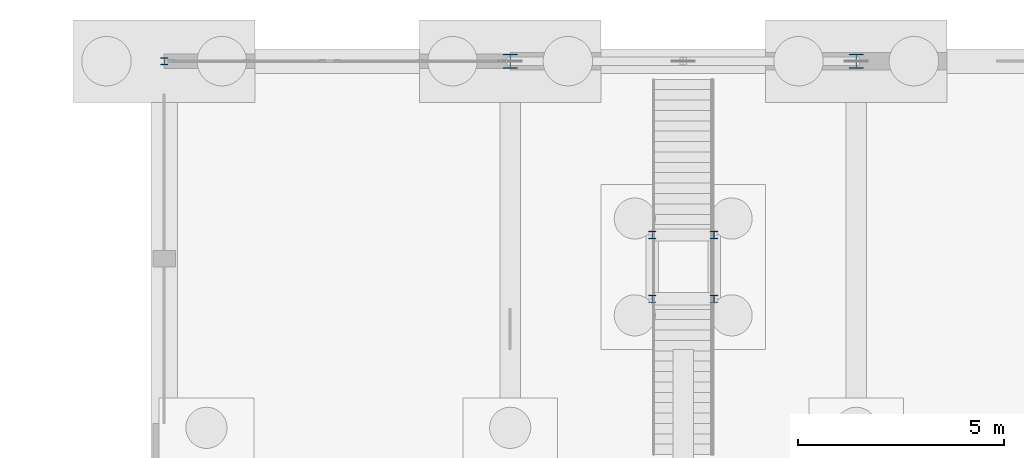
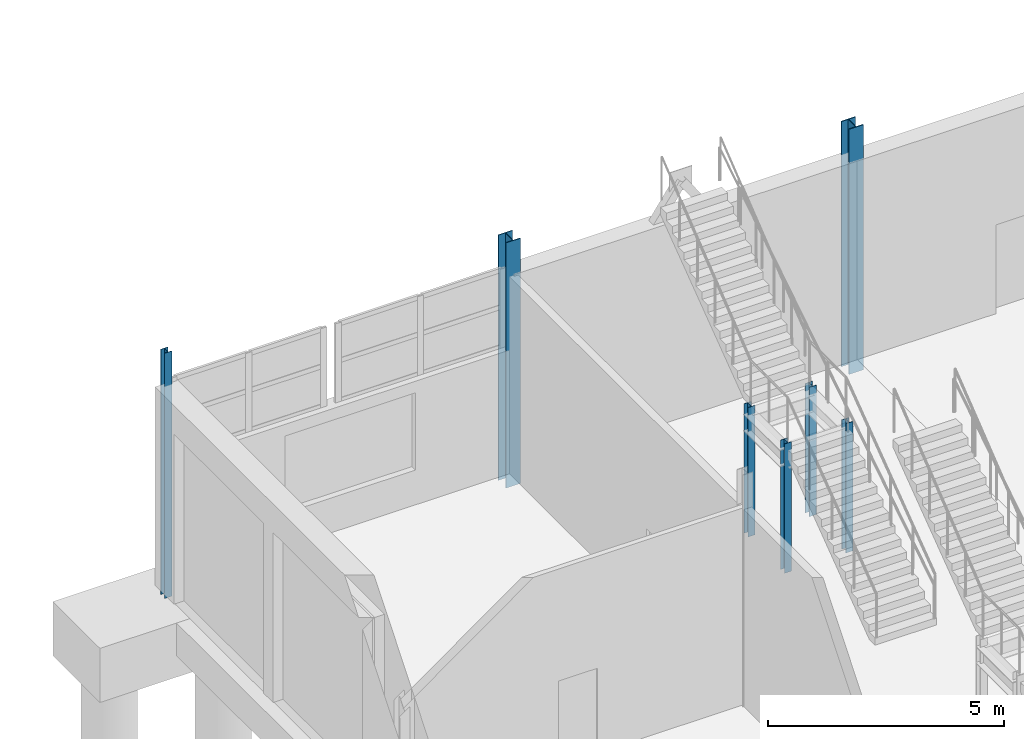
# One storey, part 48 of 139: 7 columns.
"""IFC4 building model written with IfcOpenShell, lengths in metres."""

import ifcopenshell
import ifcopenshell.guid

model = None  # the IFC model being written
_history = None  # IfcOwnerHistory: only IFC2X3 demands one
_inside = {}  # id of a spatial element -> (the spatial element, [elements in it])
_under = {}  # id of a project, library or spatial element -> (it, [spatial elements below it])
_declared = {}  # id of a project -> (the project, [libraries it declares])
_typed = {}  # id of a type object -> (the type object, [elements of that type])
_made_of = {}  # id of a material, layer set ... -> (it, [elements and type objects made of it])


def new_model(schema):
    """Start an empty IFC model of exactly this schema.

    Asked for "IFC4X3", IfcOpenShell would pick the latest addendum, in which some entities
    have other attributes; the version numbers below select the first issue.
    IFC2X3 requires an IfcOwnerHistory on every rooted entity: one is made here for all.
    """
    global model, _history
    if schema == "IFC4X3":
        model = ifcopenshell.file(schema_version=(4, 3, 0, 0))
    else:
        model = ifcopenshell.file(schema=schema)
    _inside.clear()
    _under.clear()
    _declared.clear()
    _typed.clear()
    _made_of.clear()
    _history = None
    if model.schema == "IFC2X3":
        org = make("IfcOrganization", Name="unknown")
        user = make(
            "IfcPersonAndOrganization",
            ThePerson=make("IfcPerson", FamilyName="unknown"),
            TheOrganization=org,
        )
        app = make(
            "IfcApplication",
            ApplicationDeveloper=org,
            Version="unknown",
            ApplicationFullName="unknown",
            ApplicationIdentifier="unknown",
        )
        _history = make(
            "IfcOwnerHistory",
            OwningUser=user,
            OwningApplication=app,
            ChangeAction="ADDED",
            CreationDate=0,
        )
    return model


def make(cls, **values):
    """One entity of the class cls with the attributes given. An attribute that is None is left unset."""
    return model.create_entity(
        cls, **{name: value for name, value in values.items() if value is not None}
    )


def rooted(cls, **values):
    """An entity with a GlobalId (a new one), such as an element, a storey or a relation."""
    return make(cls, GlobalId=ifcopenshell.guid.new(), OwnerHistory=_history, **values)


def si_unit(unit_type, name, prefix=None):
    """IfcSIUnit, for example si_unit("LENGTHUNIT", "METRE", prefix="MILLI")."""
    return make("IfcSIUnit", UnitType=unit_type, Prefix=prefix, Name=name)


def assignment(units):
    """IfcUnitAssignment: the units of a project."""
    return None if units is None else make("IfcUnitAssignment", Units=units)


def point(xyz):
    """IfcCartesianPoint."""
    return None if xyz is None else make("IfcCartesianPoint", Coordinates=xyz)


def direction(xyz):
    """IfcDirection."""
    return None if xyz is None else make("IfcDirection", DirectionRatios=xyz)


def frame(location, z_axis=None, x_axis=None):
    """IfcAxis2Placement3D, a coordinate frame: its origin and axes. An axis left out is left unset."""
    return make(
        "IfcAxis2Placement3D",
        Location=point(location),
        Axis=direction(z_axis),
        RefDirection=direction(x_axis),
    )


def frame_2d(location, x_axis=None):
    """IfcAxis2Placement2D, a coordinate frame in the plane: its origin and x axis."""
    return make(
        "IfcAxis2Placement2D", Location=point(location), RefDirection=direction(x_axis)
    )


def origin():
    """The frame at (0, 0, 0) with its axes left unset."""
    return frame((0.0, 0.0, 0.0))


def origin_2d():
    """The frame at (0, 0) in the plane with its x axis left unset."""
    return frame_2d((0.0, 0.0))


def place(relative_to, where):
    """IfcLocalPlacement: puts the frame where relative to a parent placement (None: the world)."""
    return make(
        "IfcLocalPlacement", PlacementRelTo=relative_to, RelativePlacement=where
    )


def context(
    kind, dimensions, precision=None, world=None, true_north=None, identifier=None
):
    """IfcGeometricRepresentationContext, for example the 3D "Model" context."""
    return make(
        "IfcGeometricRepresentationContext",
        ContextIdentifier=identifier,
        ContextType=kind,
        CoordinateSpaceDimension=dimensions,
        Precision=precision,
        WorldCoordinateSystem=world,
        TrueNorth=true_north,
    )


def subcontext(parent, identifier, kind, view, scale=None):
    """IfcGeometricRepresentationSubContext, for example "Body" below "Model"."""
    return make(
        "IfcGeometricRepresentationSubContext",
        ContextIdentifier=identifier,
        ContextType=kind,
        ParentContext=parent,
        TargetScale=scale,
        TargetView=view,
    )


def project(units=None, contexts=None):
    """IfcProject with its units and contexts."""
    return rooted(
        "IfcProject",
        Name="project",
        RepresentationContexts=contexts,
        UnitsInContext=assignment(units),
    )


def spatial(cls, under=None, at=None, **own):
    """A site, building, storey or space (cls), placed at a placement, below another one or the project."""
    s = rooted(cls, ObjectPlacement=at, **own)
    if under is not None:
        _under.setdefault(under.id(), (under, []))[1].append(s)
    return s


def profile(cls, at=None, kind="AREA", **sizes):
    """A parametric profile (cls). Its sizes go by their IFC names, for example OverallWidth=200.0."""
    return make(cls, ProfileType=kind, Position=at, **sizes)


def i_section(**sizes):
    """IfcIShapeProfileDef."""
    return profile("IfcIShapeProfileDef", **sizes)


def extrude(swept, where, along, depth):
    """IfcExtrudedAreaSolid: the profile swept, set in the frame where, extruded along a direction by depth."""
    return make(
        "IfcExtrudedAreaSolid",
        SweptArea=swept,
        Position=where,
        ExtrudedDirection=direction(along),
        Depth=depth,
    )


def shape(context_of_items, identifier, shape_type, items):
    """IfcShapeRepresentation: the items that make up one representation, for example the "Body"."""
    return make(
        "IfcShapeRepresentation",
        ContextOfItems=context_of_items,
        RepresentationIdentifier=identifier,
        RepresentationType=shape_type,
        Items=items,
    )


def material(Name=None, Category=None):
    """IfcMaterial."""
    return make("IfcMaterial", Name=Name, Category=Category)


def material_profile(
    of_material, cross_section, Name=None, Category=None, Priority=None
):
    """IfcMaterialProfile: a cross section and its material."""
    return make(
        "IfcMaterialProfile",
        Name=Name,
        Material=of_material,
        Profile=cross_section,
        Priority=Priority,
        Category=Category,
    )


def profile_set(profiles, Name=None, composite=None):
    """IfcMaterialProfileSet."""
    return make(
        "IfcMaterialProfileSet",
        Name=Name,
        MaterialProfiles=profiles,
        CompositeProfile=composite,
    )


def made_of(thing, what):
    """Note that an element or type object is made of a material, layer set ...; save() writes the relation."""
    if what is not None:
        _made_of.setdefault(what.id(), (what, []))[1].append(thing)
    return thing


def type_object(cls, material=None, **own):
    """A type object (cls), such as IfcWallType, which elements share."""
    return made_of(rooted(cls, **own), material)


def element(
    cls,
    number,
    at=None,
    inside=None,
    cuts=None,
    type_object=None,
    material=None,
    context=None,
    identifier="Body",
    shape_type=None,
    held_by="IfcProductDefinitionShape",
    body=None,
    shapes=None,
    **own,
):
    """One element of the class cls, such as IfcWall. Its Tag is "e" and its number.

    at: its placement. inside: the storey or other place that contains it. cuts: it is an
    opening in that element (IfcRelVoidsElement). A single representation is given by context,
    identifier, shape_type and body (its items); several are given by shapes. held_by: the class
    of the entity that holds the representations. save() writes the other relations.
    """
    e = rooted(cls, Tag="e%d" % number, ObjectPlacement=at, **own)
    if body is not None:
        shapes = [shape(context, identifier, shape_type, body)]
    if shapes is not None:
        e.Representation = make(held_by, Representations=shapes)
    if inside is not None:
        _inside.setdefault(inside.id(), (inside, []))[1].append(e)
    if cuts is not None:
        rooted(
            "IfcRelVoidsElement", RelatingBuildingElement=cuts, RelatedOpeningElement=e
        )
    if type_object is not None:
        _typed.setdefault(type_object.id(), (type_object, []))[1].append(e)
    return made_of(e, material)


def aggregate(whole, parts):
    """IfcRelAggregates: a whole, such as a stair, and the parts it consists of."""
    return rooted("IfcRelAggregates", RelatingObject=whole, RelatedObjects=parts)


def save(model, path):
    """Write the relations noted so far, then the file.

    IfcRelAggregates (storeys below a building ...), IfcRelContainedInSpatialStructure (elements
    in a storey), IfcRelDefinesByType, IfcRelAssociatesMaterial and IfcRelDeclares: one each for
    every whole, place, type object, material and project.
    """
    for whole, parts in _under.values():
        aggregate(whole, parts)
    for where, things in _inside.values():
        rooted(
            "IfcRelContainedInSpatialStructure",
            RelatedElements=things,
            RelatingStructure=where,
        )
    for kind, things in _typed.values():
        rooted("IfcRelDefinesByType", RelatedObjects=things, RelatingType=kind)
    for what, things in _made_of.values():
        rooted("IfcRelAssociatesMaterial", RelatedObjects=things, RelatingMaterial=what)
    for by, libraries in _declared.values():
        rooted("IfcRelDeclares", RelatingContext=by, RelatedDefinitions=libraries)
    model.write(path)


model = new_model("IFC4")

# Units and contexts
model_context = context("Model", 3, precision=1e-05, world=origin(), true_north=direction((0.0, 1.0)))
body_context = subcontext(model_context, "Body", "Model", "MODEL_VIEW")
ifc_project = project(units=[si_unit("LENGTHUNIT", "METRE"), si_unit("AREAUNIT", "SQUARE_METRE"), si_unit("VOLUMEUNIT", "CUBIC_METRE"), si_unit("PLANEANGLEUNIT", "RADIAN"), si_unit("MASSUNIT", "GRAM", prefix="KILO")], contexts=[model_context])

# Site, building, storey
site_placement = place(None, origin())
site = spatial("IfcSite", under=ifc_project, at=site_placement, CompositionType="ELEMENT")
building_placement = place(site_placement, origin())
building = spatial("IfcBuilding", under=site, at=building_placement, Name="Kazenagashi Tramway Depot", CompositionType="ELEMENT")
storey_placement = place(building_placement, origin())
storey = spatial("IfcBuildingStorey", under=building, at=storey_placement, Name="L01", CompositionType="ELEMENT", Elevation=0.0)

# Columns
ifc_material_1 = material(Name="Steel SN490B", Category="steel")
ifc_material_profile_1 = material_profile(ifc_material_1, i_section(OverallWidth=0.35, OverallDepth=0.35, WebThickness=0.012, FlangeThickness=0.019, at=origin_2d()), Name="H-350x350x12x19")
ifc_profile_set_1 = profile_set([ifc_material_profile_1], Name="Steel SN490B")
column_type_1 = type_object("IfcColumnType", Name="C-04", PredefinedType="COLUMN", material=ifc_profile_set_1)
for number, where, z_axis, x_axis, name in (
    (1, (53.2, 130.0, -0.35), (0.0, 0.0, 1.0), (1.0, 0.0, 0.0), "Column C-04 COL-0011"),
    (2, (61.6, 130.0, -0.35), (0.0, 0.0, 1.0), (1.0, 0.0, 0.0), "Column C-04 COL-0017"),
):
    element("IfcColumn", number, at=place(storey_placement, frame(where, z_axis=z_axis, x_axis=x_axis)), inside=storey, type_object=column_type_1, Name=name, PredefinedType="COLUMN", context=body_context, shape_type="SweptSolid", body=[
        extrude(i_section(OverallWidth=0.35, OverallDepth=0.35, WebThickness=0.012, FlangeThickness=0.019, at=origin_2d()), origin(), (0.0, 0.0, 1.0), 6.35),
    ])
ifc_material_2 = material(Name="Steel SN400B", Category="steel")
ifc_material_profile_2 = material_profile(ifc_material_2, i_section(OverallWidth=0.175, OverallDepth=0.175, WebThickness=0.0075, FlangeThickness=0.011, at=origin_2d()), Name="H-175x175x7.5x11")
ifc_profile_set_2 = profile_set([ifc_material_profile_2], Name="Steel SN400B")
column_type_2 = type_object("IfcColumnType", Name="C-08", PredefinedType="COLUMN", material=ifc_profile_set_2)
column_placement = place(storey_placement, frame((44.8, 130.0, -0.35), z_axis=(0.0, 0.0, 1.0), x_axis=(1.0, 0.0, 0.0)))
element("IfcColumn", 3, at=column_placement, inside=storey, type_object=column_type_2, Name="Column C-08 COL-0005", PredefinedType="COLUMN", context=body_context, shape_type="SweptSolid", body=[
    extrude(i_section(OverallWidth=0.175, OverallDepth=0.175, WebThickness=0.0075, FlangeThickness=0.011, at=origin_2d()), origin(), (0.0, 0.0, 1.0), 6.35),
])
for number, where, z_axis, x_axis, name in (
    (4, (56.65, 124.23, -0.35), (0.0, 0.0, 1.0), (1.0, 0.0, 0.0), "Column C-08 COL-0891"),
    (5, (56.65, 125.78, -0.35), (0.0, 0.0, 1.0), (1.0, 0.0, 0.0), "Column C-08 COL-0892"),
    (6, (58.15, 124.23, -0.35), (0.0, 0.0, 1.0), (1.0, 0.0, 0.0), "Column C-08 COL-0893"),
    (7, (58.15, 125.78, -0.35), (0.0, 0.0, 1.0), (1.0, 0.0, 0.0), "Column C-08 COL-0894"),
):
    element("IfcColumn", number, at=place(storey_placement, frame(where, z_axis=z_axis, x_axis=x_axis)), inside=storey, type_object=column_type_2, Name=name, PredefinedType="COLUMN", context=body_context, shape_type="SweptSolid", body=[
        extrude(i_section(OverallWidth=0.175, OverallDepth=0.175, WebThickness=0.0075, FlangeThickness=0.011, at=origin_2d()), origin(), (0.0, 0.0, 1.0), 3.35),
    ])

save(model, "model.ifc")
